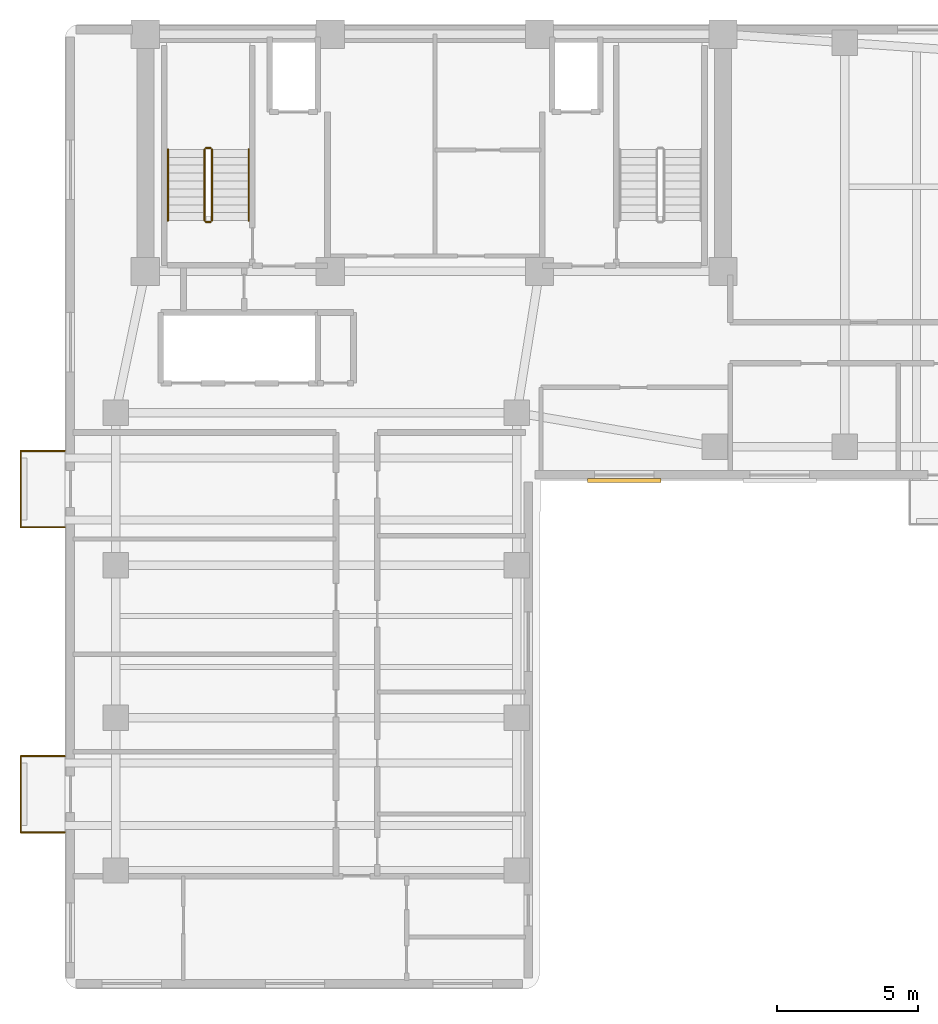
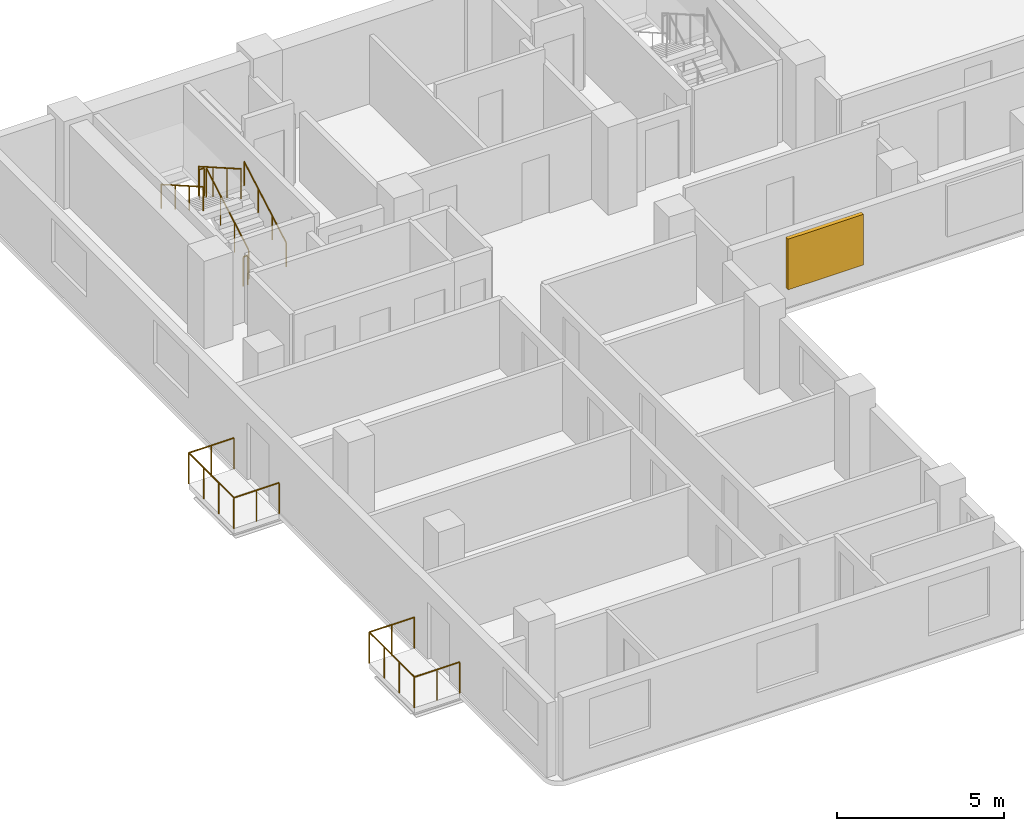
# One storey, part 6 of 7: 12 railings, 1 shading device.
"""IFC4 building model written with IfcOpenShell, lengths in metres."""

from ifc_helpers import new_model, si_unit, direction, frame, origin, origin_2d, place, context, subcontext, project, spatial, rectangle, circle, extrude, material, layer, layer_set, type_object, element, save


model = new_model("IFC4")

# Units and contexts
model_context = context("Model", 3, precision=1e-05, world=origin(), true_north=direction((0.0, 1.0)))
body_context = subcontext(model_context, "Body", "Model", "MODEL_VIEW")
ifc_project = project(units=[si_unit("LENGTHUNIT", "METRE"), si_unit("AREAUNIT", "SQUARE_METRE"), si_unit("VOLUMEUNIT", "CUBIC_METRE"), si_unit("PLANEANGLEUNIT", "RADIAN"), si_unit("MASSUNIT", "GRAM", prefix="KILO")], contexts=[model_context])

# Site, building, storey
site_placement = place(None, origin())
site = spatial("IfcSite", under=ifc_project, at=site_placement, CompositionType="ELEMENT")
building_placement = place(site_placement, origin())
building = spatial("IfcBuilding", under=site, at=building_placement, Name="Kuzgunbayir Cultural Tower", CompositionType="ELEMENT")
storey_placement = place(building_placement, frame((0.0, 0.0, 188.800048828125)))
storey = spatial("IfcBuildingStorey", under=building, at=storey_placement, Name="L55", CompositionType="ELEMENT", Elevation=188.800048828125)

# Railings
ifc_material_1 = material(Name="Laminated Glass and Stainless Steel", Category="steel")
ifc_layer_1 = layer(ifc_material_1, 0.080078125)
ifc_layer_set_1 = layer_set([ifc_layer_1], Name="Laminated Glass and Stainless Steel")
railing_type_1 = type_object("IfcRailingType", Name="RLG-BAL-115", PredefinedType="BALUSTRADE", material=ifc_layer_set_1)
railing_1_placement = place(storey_placement, frame((3.60009765625, 13.949951171875, 0.0)))
element("IfcRailing", 1, at=railing_1_placement, inside=storey, type_object=railing_type_1, Name="L55 Balcony Guard BAL-L55-WA1 Segment 1", PredefinedType="BALUSTRADE", context=body_context, shape_type="SweptSolid", body=[
    extrude(circle(Radius=0.02392578125, at=origin_2d()), frame((0.0, 0.0, 1.1259765625), z_axis=(-1.0, 0.0, 0.0), x_axis=(0.0, -1.0, 0.0)), (0.0, 0.0, 1.0), 1.56005859375),
    extrude(circle(Radius=0.02099609375, at=origin_2d()), origin(), (0.0, 0.0, 1.0), 1.101806640625),
    extrude(circle(Radius=0.02099609375, at=origin_2d()), frame((-0.780029296875, 0.0, 0.0)), (0.0, 0.0, 1.0), 1.101806640625),
    extrude(circle(Radius=0.02099609375, at=origin_2d()), frame((-1.56005859375, 0.0, 0.0)), (0.0, 0.0, 1.0), 1.101806640625),
])
railing_2_placement = place(storey_placement, frame((2.0400390625, 13.949951171875, 0.0)))
element("IfcRailing", 2, at=railing_2_placement, inside=storey, type_object=railing_type_1, Name="L55 Balcony Guard BAL-L55-WA1 Segment 2", PredefinedType="BALUSTRADE", context=body_context, shape_type="SweptSolid", body=[
    extrude(circle(Radius=0.02392578125, at=origin_2d()), frame((0.0, 0.0, 1.1259765625), z_axis=(0.0, 1.0, 0.0), x_axis=(-1.0, 0.0, 0.0)), (0.0, 0.0, 1.0), 2.699951171875),
    extrude(circle(Radius=0.02099609375, at=origin_2d()), origin(), (0.0, 0.0, 1.0), 1.101806640625),
    extrude(circle(Radius=0.02099609375, at=origin_2d()), frame((0.0, 0.89990234375, 0.0)), (0.0, 0.0, 1.0), 1.101806640625),
    extrude(circle(Radius=0.02099609375, at=origin_2d()), frame((0.0, 1.800048828125, 0.0)), (0.0, 0.0, 1.0), 1.101806640625),
    extrude(circle(Radius=0.02099609375, at=origin_2d()), frame((0.0, 2.699951171875, 0.0)), (0.0, 0.0, 1.0), 1.101806640625),
])
railing_3_placement = place(storey_placement, frame((2.0400390625, 16.64990234375, 0.0)))
element("IfcRailing", 3, at=railing_3_placement, inside=storey, type_object=railing_type_1, Name="L55 Balcony Guard BAL-L55-WA1 Segment 3", PredefinedType="BALUSTRADE", context=body_context, shape_type="SweptSolid", body=[
    extrude(circle(Radius=0.02392578125, at=origin_2d()), frame((0.0, 0.0, 1.1259765625), z_axis=(1.0, 0.0, 0.0), x_axis=(0.0, 1.0, 0.0)), (0.0, 0.0, 1.0), 1.56005859375),
    extrude(circle(Radius=0.02099609375, at=origin_2d()), origin(), (0.0, 0.0, 1.0), 1.101806640625),
    extrude(circle(Radius=0.02099609375, at=origin_2d()), frame((0.780029296875, 0.0, 0.0)), (0.0, 0.0, 1.0), 1.101806640625),
    extrude(circle(Radius=0.02099609375, at=origin_2d()), frame((1.56005859375, 0.0, 0.0)), (0.0, 0.0, 1.0), 1.101806640625),
])
railing_4_placement = place(storey_placement, frame((3.60009765625, 24.75, 0.0)))
element("IfcRailing", 4, at=railing_4_placement, inside=storey, type_object=railing_type_1, Name="L55 Balcony Guard BAL-L55-WA3 Segment 1", PredefinedType="BALUSTRADE", context=body_context, shape_type="SweptSolid", body=[
    extrude(circle(Radius=0.02392578125, at=origin_2d()), frame((0.0, 0.0, 1.1259765625), z_axis=(-1.0, 0.0, 0.0), x_axis=(0.0, -1.0, 0.0)), (0.0, 0.0, 1.0), 1.56005859375),
    extrude(circle(Radius=0.02099609375, at=origin_2d()), origin(), (0.0, 0.0, 1.0), 1.101806640625),
    extrude(circle(Radius=0.02099609375, at=origin_2d()), frame((-0.780029296875, 0.0, 0.0)), (0.0, 0.0, 1.0), 1.101806640625),
    extrude(circle(Radius=0.02099609375, at=origin_2d()), frame((-1.56005859375, 0.0, 0.0)), (0.0, 0.0, 1.0), 1.101806640625),
])
railing_5_placement = place(storey_placement, frame((2.0400390625, 24.75, 0.0)))
element("IfcRailing", 5, at=railing_5_placement, inside=storey, type_object=railing_type_1, Name="L55 Balcony Guard BAL-L55-WA3 Segment 2", PredefinedType="BALUSTRADE", context=body_context, shape_type="SweptSolid", body=[
    extrude(circle(Radius=0.02392578125, at=origin_2d()), frame((0.0, 0.0, 1.1259765625), z_axis=(0.0, 1.0, 0.0), x_axis=(-1.0, 0.0, 0.0)), (0.0, 0.0, 1.0), 2.699951171875),
    extrude(circle(Radius=0.02099609375, at=origin_2d()), origin(), (0.0, 0.0, 1.0), 1.101806640625),
    extrude(circle(Radius=0.02099609375, at=origin_2d()), frame((0.0, 0.89990234375, 0.0)), (0.0, 0.0, 1.0), 1.101806640625),
    extrude(circle(Radius=0.02099609375, at=origin_2d()), frame((0.0, 1.800048828125, 0.0)), (0.0, 0.0, 1.0), 1.101806640625),
    extrude(circle(Radius=0.02099609375, at=origin_2d()), frame((0.0, 2.699951171875, 0.0)), (0.0, 0.0, 1.0), 1.101806640625),
])
railing_6_placement = place(storey_placement, frame((2.0400390625, 27.449951171875, 0.0)))
element("IfcRailing", 6, at=railing_6_placement, inside=storey, type_object=railing_type_1, Name="L55 Balcony Guard BAL-L55-WA3 Segment 3", PredefinedType="BALUSTRADE", context=body_context, shape_type="SweptSolid", body=[
    extrude(circle(Radius=0.02392578125, at=origin_2d()), frame((0.0, 0.0, 1.1259765625), z_axis=(1.0, 0.0, 0.0), x_axis=(0.0, 1.0, 0.0)), (0.0, 0.0, 1.0), 1.56005859375),
    extrude(circle(Radius=0.02099609375, at=origin_2d()), origin(), (0.0, 0.0, 1.0), 1.101806640625),
    extrude(circle(Radius=0.02099609375, at=origin_2d()), frame((0.780029296875, 0.0, 0.0)), (0.0, 0.0, 1.0), 1.101806640625),
    extrude(circle(Radius=0.02099609375, at=origin_2d()), frame((1.56005859375, 0.0, 0.0)), (0.0, 0.0, 1.0), 1.101806640625),
])
ifc_material_2 = material(Name="Brushed Stainless Steel", Category="steel")
ifc_layer_2 = layer(ifc_material_2, 0.050048828125)
ifc_layer_set_2 = layer_set([ifc_layer_2], Name="Brushed Stainless Steel")
railing_type_2 = type_object("IfcRailingType", Name="RLG-STAIR-HANDRAIL", PredefinedType="HANDRAIL", material=ifc_layer_set_2)
railing_7_placement = place(storey_placement, frame((10.110107421875, 35.60009765625, 0.159912109375)))
element("IfcRailing", 7, at=railing_7_placement, inside=storey, type_object=railing_type_2, Name="L55 ST-1 stair handrail 1", PredefinedType="HANDRAIL", context=body_context, shape_type="SweptSolid", body=[
    extrude(circle(Radius=0.02392578125, at=origin_2d()), frame((0.0, 0.0, 0.8759765625), z_axis=(0.0, 0.868253494771, 0.496120820787), x_axis=(-1.0, 0.0, 0.0)), (0.0, 0.0, 1.0), 2.90234375),
    extrude(circle(Radius=0.02099609375, at=origin_2d()), origin(), (0.0, 0.0, 1.0), 0.851806640625),
    extrude(circle(Radius=0.02099609375, at=origin_2d()), frame((0.0, 0.840087890625, 0.47998046875)), (0.0, 0.0, 1.0), 0.851806640625),
    extrude(circle(Radius=0.02099609375, at=origin_2d()), frame((0.0, 1.679931640625, 0.9599609375)), (0.0, 0.0, 1.0), 0.851806640625),
    extrude(circle(Radius=0.02099609375, at=origin_2d()), frame((0.0, 2.52001953125, 1.43994140625)), (0.0, 0.0, 1.0), 0.851806640625),
])
railing_8_placement = place(storey_placement, frame((7.25, 38.1201171875, 1.760009765625)))
element("IfcRailing", 8, at=railing_8_placement, inside=storey, type_object=railing_type_2, Name="L55 ST-1 stair handrail 2", PredefinedType="HANDRAIL", context=body_context, shape_type="SweptSolid", body=[
    extrude(circle(Radius=0.02392578125, at=origin_2d()), frame((0.0, 0.0, 0.8759765625), z_axis=(0.0, -0.868253494771, 0.496120820787), x_axis=(1.0, 0.0, 0.0)), (0.0, 0.0, 1.0), 2.90234375),
    extrude(circle(Radius=0.02099609375, at=origin_2d()), origin(), (0.0, 0.0, 1.0), 0.851806640625),
    extrude(circle(Radius=0.02099609375, at=origin_2d()), frame((0.0, -0.840087890625, 0.47998046875)), (0.0, 0.0, 1.0), 0.851806640625),
    extrude(circle(Radius=0.02099609375, at=origin_2d()), frame((0.0, -1.679931640625, 0.9599609375)), (0.0, 0.0, 1.0), 0.851806640625),
    extrude(circle(Radius=0.02099609375, at=origin_2d()), frame((0.0, -2.52001953125, 1.43994140625)), (0.0, 0.0, 1.0), 0.851806640625),
])
ifc_material_3 = material(Name="Painted Steel Balustrade", Category="steel")
ifc_layer_3 = layer(ifc_material_3, 0.06005859375)
ifc_layer_set_3 = layer_set([ifc_layer_3], Name="Painted Steel Balustrade")
railing_type_3 = type_object("IfcRailingType", Name="RLG-WELL-GUARD", PredefinedType="GUARDRAIL", material=ifc_layer_set_3)
railing_9_placement = place(storey_placement, frame((8.81005859375, 35.60009765625, 0.159912109375)))
element("IfcRailing", 9, at=railing_9_placement, inside=storey, type_object=railing_type_3, Name="L55 ST-1 stair guard 1", PredefinedType="GUARDRAIL", context=body_context, shape_type="SweptSolid", body=[
    extrude(circle(Radius=0.02392578125, at=origin_2d()), frame((0.0, 0.0, 1.076171875), z_axis=(0.0, 0.868253494771, 0.496120820787), x_axis=(-1.0, 0.0, 0.0)), (0.0, 0.0, 1.0), 2.90234375),
    extrude(circle(Radius=0.02099609375, at=origin_2d()), origin(), (0.0, 0.0, 1.0), 1.052001953125),
    extrude(circle(Radius=0.02099609375, at=origin_2d()), frame((0.0, 0.840087890625, 0.47998046875)), (0.0, 0.0, 1.0), 1.052001953125),
    extrude(circle(Radius=0.02099609375, at=origin_2d()), frame((0.0, 1.679931640625, 0.9599609375)), (0.0, 0.0, 1.0), 1.052001953125),
    extrude(circle(Radius=0.02099609375, at=origin_2d()), frame((0.0, 2.52001953125, 1.43994140625)), (0.0, 0.0, 1.0), 1.052001953125),
])
railing_10_placement = place(storey_placement, frame((8.760009765625, 38.169921875, 1.599853515625)))
element("IfcRailing", 10, at=railing_10_placement, inside=storey, type_object=railing_type_3, Name="L55 ST-1 stair guard 2", PredefinedType="GUARDRAIL", context=body_context, shape_type="SweptSolid", body=[
    extrude(circle(Radius=0.02392578125, at=origin_2d()), frame((0.0, 0.0, 1.076171875), z_axis=(-1.0, 0.0, 0.0), x_axis=(0.0, -1.0, 0.0)), (0.0, 0.0, 1.0), 0.159912109375),
    extrude(circle(Radius=0.02099609375, at=origin_2d()), origin(), (0.0, 0.0, 1.0), 1.052001953125),
    extrude(circle(Radius=0.02099609375, at=origin_2d()), frame((-0.159912109375, 0.0, 0.0)), (0.0, 0.0, 1.0), 1.052001953125),
])
railing_11_placement = place(storey_placement, frame((8.550048828125, 38.1201171875, 1.760009765625)))
element("IfcRailing", 11, at=railing_11_placement, inside=storey, type_object=railing_type_3, Name="L55 ST-1 stair guard 3", PredefinedType="GUARDRAIL", context=body_context, shape_type="SweptSolid", body=[
    extrude(circle(Radius=0.02392578125, at=origin_2d()), frame((0.0, 0.0, 1.076171875), z_axis=(0.0, -0.868253494771, 0.496120820787), x_axis=(1.0, 0.0, 0.0)), (0.0, 0.0, 1.0), 2.90234375),
    extrude(circle(Radius=0.02099609375, at=origin_2d()), origin(), (0.0, 0.0, 1.0), 1.052001953125),
    extrude(circle(Radius=0.02099609375, at=origin_2d()), frame((0.0, -0.840087890625, 0.47998046875)), (0.0, 0.0, 1.0), 1.052001953125),
    extrude(circle(Radius=0.02099609375, at=origin_2d()), frame((0.0, -1.679931640625, 0.9599609375)), (0.0, 0.0, 1.0), 1.052001953125),
    extrude(circle(Radius=0.02099609375, at=origin_2d()), frame((0.0, -2.52001953125, 1.43994140625)), (0.0, 0.0, 1.0), 1.052001953125),
])
railing_12_placement = place(storey_placement, frame((8.760009765625, 35.550048828125, 0.0)))
element("IfcRailing", 12, at=railing_12_placement, inside=storey, type_object=railing_type_3, Name="L55 ST-1 stair guard 4", PredefinedType="GUARDRAIL", context=body_context, shape_type="SweptSolid", body=[
    extrude(circle(Radius=0.02392578125, at=origin_2d()), frame((0.0, 0.0, 1.076171875), z_axis=(-1.0, 0.0, 0.0), x_axis=(0.0, -1.0, 0.0)), (0.0, 0.0, 1.0), 0.159912109375),
    extrude(circle(Radius=0.02099609375, at=origin_2d()), origin(), (0.0, 0.0, 1.0), 1.052001953125),
    extrude(circle(Radius=0.02099609375, at=origin_2d()), frame((-0.159912109375, 0.0, 0.0)), (0.0, 0.0, 1.0), 1.052001953125),
])

# Shading device
ifc_material_4 = material(Name="Perforated Bronze-Anodised Aluminium", Category="aluminium")
shading_device_type = type_object("IfcShadingDeviceType", Name="SHD-SOLAR-BRONZE", PredefinedType="JALOUSIE", material=ifc_material_4)
shading_device_placement = place(storey_placement, frame((23.39990234375, 26.39990234375, 0.73486328125), z_axis=(0.0, 0.0, 1.0), x_axis=(1.0, 0.0, 0.0)))
element("IfcShadingDevice", 13, at=shading_device_placement, inside=storey, type_object=shading_device_type, Name="L55 Solar Screen WBS14", PredefinedType="JALOUSIE", context=body_context, shape_type="SweptSolid", body=[
    extrude(rectangle(XDim=2.60009765625, YDim=0.139892578125, at=origin_2d()), origin(), (0.0, 0.0, 1.0), 1.85009765625),
])

save(model, "model.ifc")
